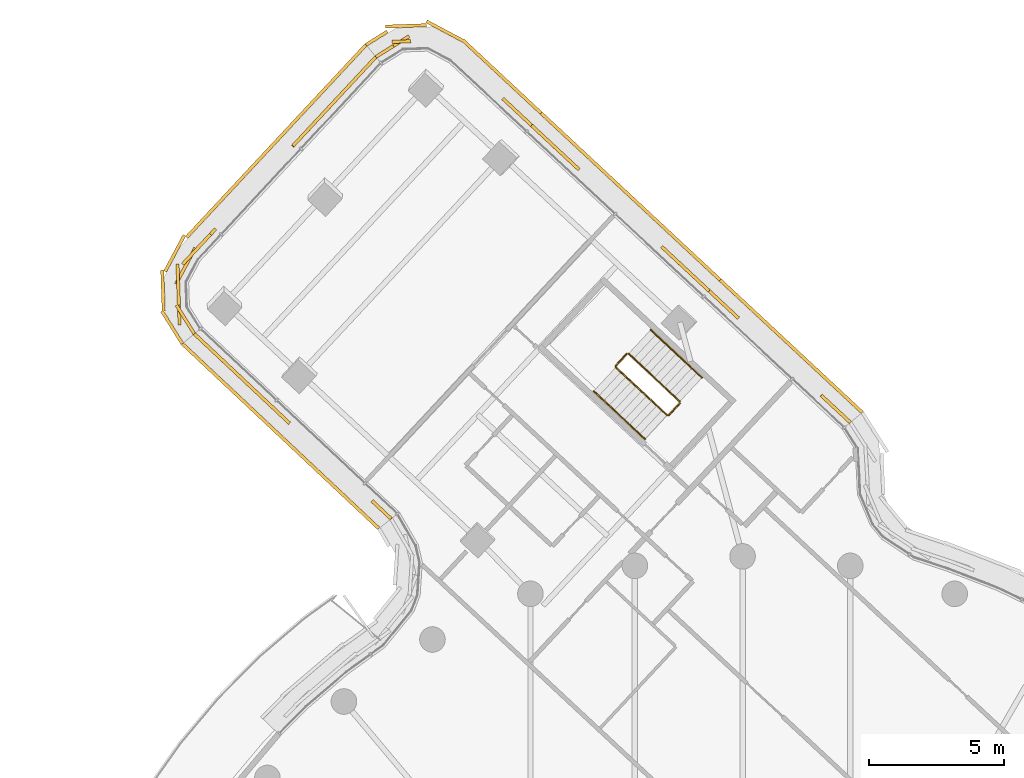
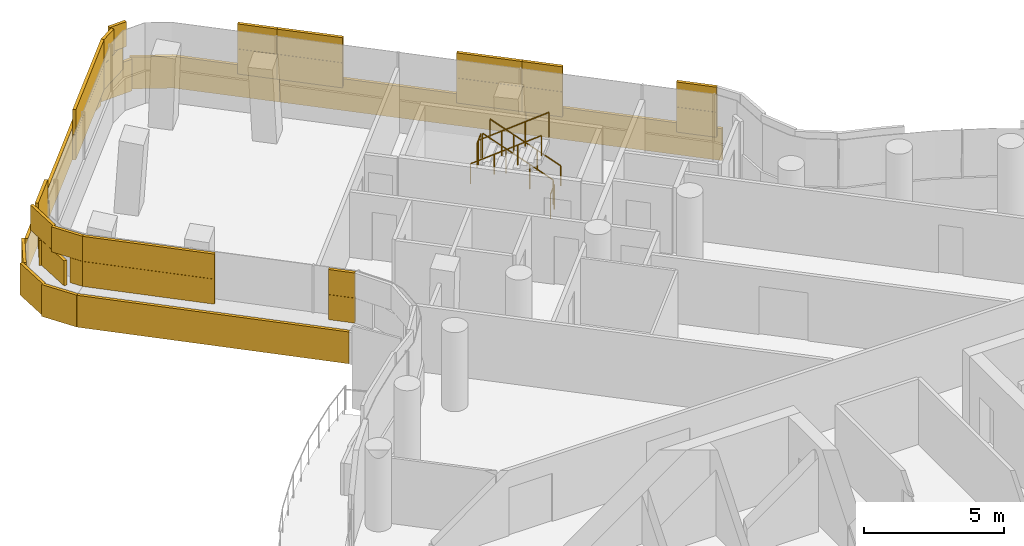
# One storey, part 28 of 30: 6 railings, 5 coverings.
"""IFC4 building model written with IfcOpenShell, lengths in metres."""

import ifcopenshell
import ifcopenshell.guid

model = None  # the IFC model being written
_history = None  # IfcOwnerHistory: only IFC2X3 demands one
_inside = {}  # id of a spatial element -> (the spatial element, [elements in it])
_under = {}  # id of a project, library or spatial element -> (it, [spatial elements below it])
_declared = {}  # id of a project -> (the project, [libraries it declares])
_typed = {}  # id of a type object -> (the type object, [elements of that type])
_made_of = {}  # id of a material, layer set ... -> (it, [elements and type objects made of it])


def new_model(schema):
    """Start an empty IFC model of exactly this schema.

    Asked for "IFC4X3", IfcOpenShell would pick the latest addendum, in which some entities
    have other attributes; the version numbers below select the first issue.
    IFC2X3 requires an IfcOwnerHistory on every rooted entity: one is made here for all.
    """
    global model, _history
    if schema == "IFC4X3":
        model = ifcopenshell.file(schema_version=(4, 3, 0, 0))
    else:
        model = ifcopenshell.file(schema=schema)
    _inside.clear()
    _under.clear()
    _declared.clear()
    _typed.clear()
    _made_of.clear()
    _history = None
    if model.schema == "IFC2X3":
        org = make("IfcOrganization", Name="unknown")
        user = make(
            "IfcPersonAndOrganization",
            ThePerson=make("IfcPerson", FamilyName="unknown"),
            TheOrganization=org,
        )
        app = make(
            "IfcApplication",
            ApplicationDeveloper=org,
            Version="unknown",
            ApplicationFullName="unknown",
            ApplicationIdentifier="unknown",
        )
        _history = make(
            "IfcOwnerHistory",
            OwningUser=user,
            OwningApplication=app,
            ChangeAction="ADDED",
            CreationDate=0,
        )
    return model


def make(cls, **values):
    """One entity of the class cls with the attributes given. An attribute that is None is left unset."""
    return model.create_entity(
        cls, **{name: value for name, value in values.items() if value is not None}
    )


def rooted(cls, **values):
    """An entity with a GlobalId (a new one), such as an element, a storey or a relation."""
    return make(cls, GlobalId=ifcopenshell.guid.new(), OwnerHistory=_history, **values)


def si_unit(unit_type, name, prefix=None):
    """IfcSIUnit, for example si_unit("LENGTHUNIT", "METRE", prefix="MILLI")."""
    return make("IfcSIUnit", UnitType=unit_type, Prefix=prefix, Name=name)


def assignment(units):
    """IfcUnitAssignment: the units of a project."""
    return None if units is None else make("IfcUnitAssignment", Units=units)


def point(xyz):
    """IfcCartesianPoint."""
    return None if xyz is None else make("IfcCartesianPoint", Coordinates=xyz)


def direction(xyz):
    """IfcDirection."""
    return None if xyz is None else make("IfcDirection", DirectionRatios=xyz)


def frame(location, z_axis=None, x_axis=None):
    """IfcAxis2Placement3D, a coordinate frame: its origin and axes. An axis left out is left unset."""
    return make(
        "IfcAxis2Placement3D",
        Location=point(location),
        Axis=direction(z_axis),
        RefDirection=direction(x_axis),
    )


def frame_2d(location, x_axis=None):
    """IfcAxis2Placement2D, a coordinate frame in the plane: its origin and x axis."""
    return make(
        "IfcAxis2Placement2D", Location=point(location), RefDirection=direction(x_axis)
    )


def origin():
    """The frame at (0, 0, 0) with its axes left unset."""
    return frame((0.0, 0.0, 0.0))


def origin_2d():
    """The frame at (0, 0) in the plane with its x axis left unset."""
    return frame_2d((0.0, 0.0))


def place(relative_to, where):
    """IfcLocalPlacement: puts the frame where relative to a parent placement (None: the world)."""
    return make(
        "IfcLocalPlacement", PlacementRelTo=relative_to, RelativePlacement=where
    )


def context(
    kind, dimensions, precision=None, world=None, true_north=None, identifier=None
):
    """IfcGeometricRepresentationContext, for example the 3D "Model" context."""
    return make(
        "IfcGeometricRepresentationContext",
        ContextIdentifier=identifier,
        ContextType=kind,
        CoordinateSpaceDimension=dimensions,
        Precision=precision,
        WorldCoordinateSystem=world,
        TrueNorth=true_north,
    )


def subcontext(parent, identifier, kind, view, scale=None):
    """IfcGeometricRepresentationSubContext, for example "Body" below "Model"."""
    return make(
        "IfcGeometricRepresentationSubContext",
        ContextIdentifier=identifier,
        ContextType=kind,
        ParentContext=parent,
        TargetScale=scale,
        TargetView=view,
    )


def project(units=None, contexts=None):
    """IfcProject with its units and contexts."""
    return rooted(
        "IfcProject",
        Name="project",
        RepresentationContexts=contexts,
        UnitsInContext=assignment(units),
    )


def spatial(cls, under=None, at=None, **own):
    """A site, building, storey or space (cls), placed at a placement, below another one or the project."""
    s = rooted(cls, ObjectPlacement=at, **own)
    if under is not None:
        _under.setdefault(under.id(), (under, []))[1].append(s)
    return s


def profile(cls, at=None, kind="AREA", **sizes):
    """A parametric profile (cls). Its sizes go by their IFC names, for example OverallWidth=200.0."""
    return make(cls, ProfileType=kind, Position=at, **sizes)


def rectangle(**sizes):
    """IfcRectangleProfileDef."""
    return profile("IfcRectangleProfileDef", **sizes)


def circle(**sizes):
    """IfcCircleProfileDef."""
    return profile("IfcCircleProfileDef", **sizes)


def extrude(swept, where, along, depth):
    """IfcExtrudedAreaSolid: the profile swept, set in the frame where, extruded along a direction by depth."""
    return make(
        "IfcExtrudedAreaSolid",
        SweptArea=swept,
        Position=where,
        ExtrudedDirection=direction(along),
        Depth=depth,
    )


def shape(context_of_items, identifier, shape_type, items):
    """IfcShapeRepresentation: the items that make up one representation, for example the "Body"."""
    return make(
        "IfcShapeRepresentation",
        ContextOfItems=context_of_items,
        RepresentationIdentifier=identifier,
        RepresentationType=shape_type,
        Items=items,
    )


def material(Name=None, Category=None):
    """IfcMaterial."""
    return make("IfcMaterial", Name=Name, Category=Category)


def layer(
    of_material, thickness, ventilated=None, Name=None, Category=None, Priority=None
):
    """IfcMaterialLayer: one layer of a wall or slab, of a material (None: an air gap)."""
    return make(
        "IfcMaterialLayer",
        Material=of_material,
        LayerThickness=thickness,
        IsVentilated=ventilated,
        Name=Name,
        Category=Category,
        Priority=Priority,
    )


def layer_set(layers, Name=None):
    """IfcMaterialLayerSet."""
    return make("IfcMaterialLayerSet", MaterialLayers=layers, LayerSetName=Name)


def made_of(thing, what):
    """Note that an element or type object is made of a material, layer set ...; save() writes the relation."""
    if what is not None:
        _made_of.setdefault(what.id(), (what, []))[1].append(thing)
    return thing


def type_object(cls, material=None, **own):
    """A type object (cls), such as IfcWallType, which elements share."""
    return made_of(rooted(cls, **own), material)


def element(
    cls,
    number,
    at=None,
    inside=None,
    cuts=None,
    type_object=None,
    material=None,
    context=None,
    identifier="Body",
    shape_type=None,
    held_by="IfcProductDefinitionShape",
    body=None,
    shapes=None,
    **own,
):
    """One element of the class cls, such as IfcWall. Its Tag is "e" and its number.

    at: its placement. inside: the storey or other place that contains it. cuts: it is an
    opening in that element (IfcRelVoidsElement). A single representation is given by context,
    identifier, shape_type and body (its items); several are given by shapes. held_by: the class
    of the entity that holds the representations. save() writes the other relations.
    """
    e = rooted(cls, Tag="e%d" % number, ObjectPlacement=at, **own)
    if body is not None:
        shapes = [shape(context, identifier, shape_type, body)]
    if shapes is not None:
        e.Representation = make(held_by, Representations=shapes)
    if inside is not None:
        _inside.setdefault(inside.id(), (inside, []))[1].append(e)
    if cuts is not None:
        rooted(
            "IfcRelVoidsElement", RelatingBuildingElement=cuts, RelatedOpeningElement=e
        )
    if type_object is not None:
        _typed.setdefault(type_object.id(), (type_object, []))[1].append(e)
    return made_of(e, material)


def aggregate(whole, parts):
    """IfcRelAggregates: a whole, such as a stair, and the parts it consists of."""
    return rooted("IfcRelAggregates", RelatingObject=whole, RelatedObjects=parts)


def save(model, path):
    """Write the relations noted so far, then the file.

    IfcRelAggregates (storeys below a building ...), IfcRelContainedInSpatialStructure (elements
    in a storey), IfcRelDefinesByType, IfcRelAssociatesMaterial and IfcRelDeclares: one each for
    every whole, place, type object, material and project.
    """
    for whole, parts in _under.values():
        aggregate(whole, parts)
    for where, things in _inside.values():
        rooted(
            "IfcRelContainedInSpatialStructure",
            RelatedElements=things,
            RelatingStructure=where,
        )
    for kind, things in _typed.values():
        rooted("IfcRelDefinesByType", RelatedObjects=things, RelatingType=kind)
    for what, things in _made_of.values():
        rooted("IfcRelAssociatesMaterial", RelatedObjects=things, RelatingMaterial=what)
    for by, libraries in _declared.values():
        rooted("IfcRelDeclares", RelatingContext=by, RelatedDefinitions=libraries)
    model.write(path)


model = new_model("IFC4")

# Units and contexts
model_context = context("Model", 3, precision=1e-05, world=origin(), true_north=direction((0.0, 1.0)))
body_context = subcontext(model_context, "Body", "Model", "MODEL_VIEW")
ifc_project = project(units=[si_unit("LENGTHUNIT", "METRE"), si_unit("AREAUNIT", "SQUARE_METRE"), si_unit("VOLUMEUNIT", "CUBIC_METRE"), si_unit("PLANEANGLEUNIT", "RADIAN"), si_unit("MASSUNIT", "GRAM", prefix="KILO")], contexts=[model_context])

# Site, building, storey
site_placement = place(None, origin())
site = spatial("IfcSite", under=ifc_project, at=site_placement, CompositionType="ELEMENT")
building_placement = place(site_placement, origin())
building = spatial("IfcBuilding", under=site, at=building_placement, Name="Tamarind Cross Interchange Tower", CompositionType="ELEMENT")
storey_placement = place(building_placement, frame((0.0, 0.0, 204.10009765625)))
storey = spatial("IfcBuildingStorey", under=building, at=storey_placement, Name="L51", CompositionType="ELEMENT", Elevation=204.10009765625)

# Railings
ifc_material_1 = material(Name="Stair guard")
railing_type_1 = type_object("IfcRailingType", Name="Stair guard", PredefinedType="GUARDRAIL", material=ifc_material_1)
railing_1_placement = place(storey_placement, frame((-2.32470703125, 28.74609375, 0.16357421875)))
element("IfcRailing", 1, at=railing_1_placement, inside=storey, type_object=railing_type_1, Name="L51 ST4 stair guard 1", PredefinedType="GUARDRAIL", context=body_context, shape_type="SweptSolid", body=[
    extrude(circle(Radius=0.02392578125, at=origin_2d()), frame((0.0, 0.0, 1.076171875), z_axis=(-0.619183979329, 0.576983145928, 0.53263650744), x_axis=(-0.681735879946, -0.731598380256, 0.0)), (0.0, 0.0, 1.0), 3.072021484375),
    extrude(circle(Radius=0.02099609375, at=origin_2d()), origin(), (0.0, 0.0, 1.0), 1.052001953125),
    extrude(circle(Radius=0.02099609375, at=origin_2d()), frame((-0.634033203125, 0.5908203125, 0.54541015625)), (0.0, 0.0, 1.0), 1.052001953125),
    extrude(circle(Radius=0.02099609375, at=origin_2d()), frame((-1.26806640625, 1.181640625, 1.0908203125)), (0.0, 0.0, 1.0), 1.052001953125),
    extrude(circle(Radius=0.02099609375, at=origin_2d()), frame((-1.902099609375, 1.7724609375, 1.63623046875)), (0.0, 0.0, 1.0), 1.052001953125),
])
railing_2_placement = place(storey_placement, frame((-4.29736328125, 30.51611328125, 1.7998046875)))
element("IfcRailing", 2, at=railing_2_placement, inside=storey, type_object=railing_type_1, Name="L51 ST4 stair guard 2", PredefinedType="GUARDRAIL", context=body_context, shape_type="SweptSolid", body=[
    extrude(circle(Radius=0.02392578125, at=origin_2d()), frame((0.0, 0.0, 1.076171875), z_axis=(-0.681854263948, -0.731488046885, 0.0), x_axis=(0.731488046885, -0.681854263948, 0.0)), (0.0, 0.0, 1.0), 0.60009765625),
    extrude(circle(Radius=0.02099609375, at=origin_2d()), origin(), (0.0, 0.0, 1.0), 1.052001953125),
    extrude(circle(Radius=0.02099609375, at=origin_2d()), frame((-0.4091796875, -0.43896484375, 0.0)), (0.0, 0.0, 1.0), 1.052001953125),
])
railing_3_placement = place(storey_placement, frame((-4.7041015625, 30.006591796875, 1.963623046875)))
element("IfcRailing", 3, at=railing_3_placement, inside=storey, type_object=railing_type_1, Name="L51 ST4 stair guard 3", PredefinedType="GUARDRAIL", context=body_context, shape_type="SweptSolid", body=[
    extrude(circle(Radius=0.02392578125, at=origin_2d()), frame((0.0, 0.0, 1.076171875), z_axis=(0.619155586453, -0.577036158803, 0.532612083225), x_axis=(0.681786135412, 0.731551546756, 0.0)), (0.0, 0.0, 1.0), 3.072021484375),
    extrude(circle(Radius=0.02099609375, at=origin_2d()), origin(), (0.0, 0.0, 1.0), 1.052001953125),
    extrude(circle(Radius=0.02099609375, at=origin_2d()), frame((0.634033203125, -0.5908203125, 0.54541015625)), (0.0, 0.0, 1.0), 1.052001953125),
    extrude(circle(Radius=0.02099609375, at=origin_2d()), frame((1.26806640625, -1.181884765625, 1.0908203125)), (0.0, 0.0, 1.0), 1.052001953125),
    extrude(circle(Radius=0.02099609375, at=origin_2d()), frame((1.902099609375, -1.772705078125, 1.63623046875)), (0.0, 0.0, 1.0), 1.052001953125),
])
railing_4_placement = place(storey_placement, frame((-2.322265625, 28.67529296875, 0.0)))
element("IfcRailing", 4, at=railing_4_placement, inside=storey, type_object=railing_type_1, Name="L51 ST4 stair guard 4", PredefinedType="GUARDRAIL", context=body_context, shape_type="SweptSolid", body=[
    extrude(circle(Radius=0.02392578125, at=origin_2d()), frame((0.0, 0.0, 1.076171875), z_axis=(-0.681636486585, -0.731690986794, 0.0), x_axis=(0.731690986794, -0.681636486585, 0.0)), (0.0, 0.0, 1.0), 0.599853515625),
    extrude(circle(Radius=0.02099609375, at=origin_2d()), origin(), (0.0, 0.0, 1.0), 1.052001953125),
    extrude(circle(Radius=0.02099609375, at=origin_2d()), frame((-0.408935546875, -0.43896484375, 0.0)), (0.0, 0.0, 1.0), 1.052001953125),
])
ifc_material_2 = material(Name="Stair handrail")
railing_type_2 = type_object("IfcRailingType", Name="Stair handrail", PredefinedType="HANDRAIL", material=ifc_material_2)
railing_5_placement = place(storey_placement, frame((-1.506591796875, 29.623779296875, 0.16357421875)))
element("IfcRailing", 5, at=railing_5_placement, inside=storey, type_object=railing_type_2, Name="L51 ST4 stair handrail 1", PredefinedType="HANDRAIL", context=body_context, shape_type="SweptSolid", body=[
    extrude(circle(Radius=0.02392578125, at=origin_2d()), frame((0.0, 0.0, 0.8759765625), z_axis=(-0.619155586453, 0.577036158803, 0.532612083225), x_axis=(-0.681786135412, -0.731551546756, 0.0)), (0.0, 0.0, 1.0), 3.072021484375),
    extrude(circle(Radius=0.02099609375, at=origin_2d()), origin(), (0.0, 0.0, 1.0), 0.851806640625),
    extrude(circle(Radius=0.02099609375, at=origin_2d()), frame((-0.634033203125, 0.5908203125, 0.54541015625)), (0.0, 0.0, 1.0), 0.851806640625),
    extrude(circle(Radius=0.02099609375, at=origin_2d()), frame((-1.26806640625, 1.181884765625, 1.0908203125)), (0.0, 0.0, 1.0), 0.851806640625),
    extrude(circle(Radius=0.02099609375, at=origin_2d()), frame((-1.902099609375, 1.772705078125, 1.63623046875)), (0.0, 0.0, 1.0), 0.851806640625),
])
railing_6_placement = place(storey_placement, frame((-5.522216796875, 29.128662109375, 1.963623046875)))
element("IfcRailing", 6, at=railing_6_placement, inside=storey, type_object=railing_type_2, Name="L51 ST4 stair handrail 2", PredefinedType="HANDRAIL", context=body_context, shape_type="SweptSolid", body=[
    extrude(circle(Radius=0.02392578125, at=origin_2d()), frame((0.0, 0.0, 0.8759765625), z_axis=(0.619155586453, -0.577036158803, 0.532612083225), x_axis=(0.681786135412, 0.731551546756, 0.0)), (0.0, 0.0, 1.0), 3.072021484375),
    extrude(circle(Radius=0.02099609375, at=origin_2d()), origin(), (0.0, 0.0, 1.0), 0.851806640625),
    extrude(circle(Radius=0.02099609375, at=origin_2d()), frame((0.634033203125, -0.5908203125, 0.54541015625)), (0.0, 0.0, 1.0), 0.851806640625),
    extrude(circle(Radius=0.02099609375, at=origin_2d()), frame((1.26806640625, -1.181884765625, 1.0908203125)), (0.0, 0.0, 1.0), 0.851806640625),
    extrude(circle(Radius=0.02099609375, at=origin_2d()), frame((1.902099609375, -1.772705078125, 1.63623046875)), (0.0, 0.0, 1.0), 0.851806640625),
])

# Coverings
ifc_material_3 = material(Name="Terracotta", Category="masonry")
ifc_layer = layer(ifc_material_3, 0.1201171875)
ifc_layer_set = layer_set([ifc_layer], Name="Terracotta")
covering_type = type_object("IfcCoveringType", Name="Terracotta baguette screen unit", PredefinedType="MOLDING", material=ifc_layer_set)
covering_1_placement = place(storey_placement, origin())
element("IfcCovering", 7, at=covering_1_placement, inside=storey, type_object=covering_type, Name="SCR-L51-07-00", PredefinedType="MOLDING", context=body_context, shape_type="SweptSolid", body=[
    extrude(rectangle(XDim=0.760009765625, YDim=0.1201171875, at=origin_2d()), frame((3.721435546875, 28.223388671875, 1.40380859375), z_axis=(0.0, 0.0, 1.0), x_axis=(-0.73154412297, 0.681794100992, 0.0)), (0.0, 0.0, 1.0), 1.092041015625),
    extrude(rectangle(XDim=0.735595703125, YDim=0.1201171875, at=origin_2d()), frame((3.181640625, 28.7265625, 1.40380859375), z_axis=(0.0, 0.0, 1.0), x_axis=(-0.73154412297, 0.681794100992, 0.0)), (0.0, 0.0, 1.0), 1.092041015625),
    extrude(rectangle(XDim=1.08447265625, YDim=0.1201171875, at=origin_2d()), frame((-0.549072265625, 32.20361328125, 1.40380859375), z_axis=(0.0, 0.0, 1.0), x_axis=(-0.73154412297, 0.681794100992, 0.0)), (0.0, 0.0, 1.0), 1.092041015625),
    extrude(rectangle(XDim=0.4111328125, YDim=0.1201171875, at=origin_2d()), frame((-1.0888671875, 32.70654296875, 1.40380859375), z_axis=(0.0, 0.0, 1.0), x_axis=(-0.73154412297, 0.681794100992, 0.0)), (0.0, 0.0, 1.0), 1.092041015625),
    extrude(rectangle(XDim=1.4755859375, YDim=0.1201171875, at=origin_2d()), frame((3.4560546875, 28.470703125, 2.50390625), z_axis=(0.0, 0.0, 1.0), x_axis=(-0.73154412297, 0.681794100992, 0.0)), (0.0, 0.0, 1.0), 1.092041015625),
    extrude(rectangle(XDim=0.33447265625, YDim=0.1201171875, at=origin_2d()), frame((-0.27490234375, 31.947998046875, 2.50390625), z_axis=(0.0, 0.0, 1.0), x_axis=(-0.73154412297, 0.681794100992, 0.0)), (0.0, 0.0, 1.0), 1.092041015625),
    extrude(rectangle(XDim=1.1611328125, YDim=0.1201171875, at=origin_2d()), frame((-0.814453125, 32.450927734375, 2.50390625), z_axis=(0.0, 0.0, 1.0), x_axis=(-0.73154412297, 0.681794100992, 0.0)), (0.0, 0.0, 1.0), 1.092041015625),
    extrude(rectangle(XDim=0.760009765625, YDim=0.1201171875, at=origin_2d()), frame((4.16259765625, 28.596923828125, 0.00390625), z_axis=(0.0, 0.0, 1.0), x_axis=(-0.73154412297, 0.681794100992, 0.0)), (0.0, 0.0, 1.0), 1.39208984375),
    extrude(rectangle(XDim=1.52001953125, YDim=0.1201171875, at=origin_2d()), frame((3.34326171875, 29.360595703125, 0.00390625), z_axis=(0.0, 0.0, 1.0), x_axis=(-0.73154412297, 0.681794100992, 0.0)), (0.0, 0.0, 1.0), 1.39208984375),
    extrude(rectangle(XDim=1.52001953125, YDim=0.1201171875, at=origin_2d()), frame((2.24609375, 30.383056640625, 0.00390625), z_axis=(0.0, 0.0, 1.0), x_axis=(-0.73154412297, 0.681794100992, 0.0)), (0.0, 0.0, 1.0), 1.39208984375),
    extrude(rectangle(XDim=1.52001953125, YDim=0.1201171875, at=origin_2d()), frame((1.148681640625, 31.40576171875, 0.00390625), z_axis=(0.0, 0.0, 1.0), x_axis=(-0.73154412297, 0.681794100992, 0.0)), (0.0, 0.0, 1.0), 1.39208984375),
    extrude(rectangle(XDim=1.52001953125, YDim=0.1201171875, at=origin_2d()), frame((0.051513671875, 32.428466796875, 0.00390625), z_axis=(0.0, 0.0, 1.0), x_axis=(-0.73154412297, 0.681794100992, 0.0)), (0.0, 0.0, 1.0), 1.39208984375),
    extrude(rectangle(XDim=0.46435546875, YDim=0.1201171875, at=origin_2d()), frame((-0.65966796875, 33.09130859375, 0.00390625), z_axis=(0.0, 0.0, 1.0), x_axis=(-0.73154412297, 0.681794100992, 0.0)), (0.0, 0.0, 1.0), 1.39208984375),
])
covering_2_placement = place(storey_placement, origin())
element("IfcCovering", 8, at=covering_2_placement, inside=storey, type_object=covering_type, Name="SCR-L51-07-01", PredefinedType="MOLDING", context=body_context, shape_type="SweptSolid", body=[
    extrude(rectangle(XDim=1.10888671875, YDim=0.1201171875, at=origin_2d()), frame((-1.637451171875, 33.218017578125, 1.40380859375), z_axis=(0.0, 0.0, 1.0), x_axis=(-0.73154412297, 0.681794100992, 0.0)), (0.0, 0.0, 1.0), 1.092041015625),
    extrude(rectangle(XDim=1.31640625, YDim=0.1201171875, at=origin_2d()), frame((-2.517333984375, 34.037841796875, 1.40380859375), z_axis=(0.0, 0.0, 1.0), x_axis=(-0.73154412297, 0.681794100992, 0.0)), (0.0, 0.0, 1.0), 1.092041015625),
    extrude(rectangle(XDim=0.50341796875, YDim=0.1201171875, at=origin_2d()), frame((-6.248046875, 37.51513671875, 1.40380859375), z_axis=(0.0, 0.0, 1.0), x_axis=(-0.73154412297, 0.681794100992, 0.0)), (0.0, 0.0, 1.0), 1.092041015625),
    extrude(rectangle(XDim=1.52001953125, YDim=0.1201171875, at=origin_2d()), frame((-6.977294921875, 38.194580078125, 1.40380859375), z_axis=(0.0, 0.0, 1.0), x_axis=(-0.73154412297, 0.681794100992, 0.0)), (0.0, 0.0, 1.0), 1.092041015625),
    extrude(rectangle(XDim=0.421630859375, YDim=0.1201171875, at=origin_2d()), frame((-7.676513671875, 38.846435546875, 1.40380859375), z_axis=(0.0, 0.0, 1.0), x_axis=(-0.73154412297, 0.681794100992, 0.0)), (0.0, 0.0, 1.0), 1.092041015625),
    extrude(rectangle(XDim=0.35888671875, YDim=0.1201171875, at=origin_2d()), frame((-1.36328125, 32.96240234375, 2.50390625), z_axis=(0.0, 0.0, 1.0), x_axis=(-0.73154412297, 0.681794100992, 0.0)), (0.0, 0.0, 1.0), 1.092041015625),
    extrude(rectangle(XDim=1.52001953125, YDim=0.1201171875, at=origin_2d()), frame((-2.039306640625, 33.592529296875, 2.50390625), z_axis=(0.0, 0.0, 1.0), x_axis=(-0.73154412297, 0.681794100992, 0.0)), (0.0, 0.0, 1.0), 1.092041015625),
    extrude(rectangle(XDim=0.56640625, YDim=0.1201171875, at=origin_2d()), frame((-2.79150390625, 34.293701171875, 2.50390625), z_axis=(0.0, 0.0, 1.0), x_axis=(-0.73154412297, 0.681794100992, 0.0)), (0.0, 0.0, 1.0), 1.092041015625),
    extrude(rectangle(XDim=1.25341796875, YDim=0.1201171875, at=origin_2d()), frame((-6.5224609375, 37.770751953125, 2.50390625), z_axis=(0.0, 0.0, 1.0), x_axis=(-0.73154412297, 0.681794100992, 0.0)), (0.0, 0.0, 1.0), 1.092041015625),
    extrude(rectangle(XDim=1.171630859375, YDim=0.1201171875, at=origin_2d()), frame((-7.40234375, 38.590576171875, 2.50390625), z_axis=(0.0, 0.0, 1.0), x_axis=(-0.73154412297, 0.681794100992, 0.0)), (0.0, 0.0, 1.0), 1.092041015625),
    extrude(rectangle(XDim=1.0556640625, YDim=0.1201171875, at=origin_2d()), frame((-1.2158203125, 33.609619140625, 0.00390625), z_axis=(0.0, 0.0, 1.0), x_axis=(-0.73154412297, 0.681794100992, 0.0)), (0.0, 0.0, 1.0), 1.39208984375),
    extrude(rectangle(XDim=1.52001953125, YDim=0.1201171875, at=origin_2d()), frame((-2.143310546875, 34.473876953125, 0.00390625), z_axis=(0.0, 0.0, 1.0), x_axis=(-0.73154412297, 0.681794100992, 0.0)), (0.0, 0.0, 1.0), 1.39208984375),
    extrude(rectangle(XDim=1.52001953125, YDim=0.1201171875, at=origin_2d()), frame((-3.240478515625, 35.49658203125, 0.00390625), z_axis=(0.0, 0.0, 1.0), x_axis=(-0.73154412297, 0.681794100992, 0.0)), (0.0, 0.0, 1.0), 1.39208984375),
    extrude(rectangle(XDim=1.52001953125, YDim=0.1201171875, at=origin_2d()), frame((-4.337890625, 36.519287109375, 0.00390625), z_axis=(0.0, 0.0, 1.0), x_axis=(-0.73154412297, 0.681794100992, 0.0)), (0.0, 0.0, 1.0), 1.39208984375),
    extrude(rectangle(XDim=1.52001953125, YDim=0.1201171875, at=origin_2d()), frame((-5.43505859375, 37.5419921875, 0.00390625), z_axis=(0.0, 0.0, 1.0), x_axis=(-0.73154412297, 0.681794100992, 0.0)), (0.0, 0.0, 1.0), 1.39208984375),
    extrude(rectangle(XDim=1.52001953125, YDim=0.1201171875, at=origin_2d()), frame((-6.532470703125, 38.564697265625, 0.00390625), z_axis=(0.0, 0.0, 1.0), x_axis=(-0.73154412297, 0.681794100992, 0.0)), (0.0, 0.0, 1.0), 1.39208984375),
    extrude(rectangle(XDim=0.541748046875, YDim=0.1201171875, at=origin_2d()), frame((-7.27197265625, 39.25390625, 0.00390625), z_axis=(0.0, 0.0, 1.0), x_axis=(-0.73154412297, 0.681794100992, 0.0)), (0.0, 0.0, 1.0), 1.39208984375),
])
covering_3_placement = place(storey_placement, origin())
element("IfcCovering", 9, at=covering_3_placement, inside=storey, type_object=covering_type, Name="SCR-L51-07-02", PredefinedType="MOLDING", context=body_context, shape_type="SweptSolid", body=[
    extrude(rectangle(XDim=1.098388671875, YDim=0.1201171875, at=origin_2d()), frame((-8.225341796875, 39.357666015625, 1.40380859375), z_axis=(0.0, 0.0, 1.0), x_axis=(-0.73154412297, 0.681794100992, 0.0)), (0.0, 0.0, 1.0), 1.092041015625),
    extrude(rectangle(XDim=0.370849609375, YDim=0.1201171875, at=origin_2d()), frame((-8.75537109375, 39.851806640625, 1.40380859375), z_axis=(0.0, 0.0, 1.0), x_axis=(-0.73154412297, 0.681794100992, 0.0)), (0.0, 0.0, 1.0), 1.092041015625),
    extrude(rectangle(XDim=1.44921875, YDim=0.1201171875, at=origin_2d()), frame((-12.978515625, 41.91015625, 1.40380859375), z_axis=(0.0, 0.0, 1.0), x_axis=(-0.847900081717, -0.530156063272, 0.0)), (0.0, 0.0, 1.0), 1.092041015625),
    extrude(rectangle(XDim=0.348388671875, YDim=0.1201171875, at=origin_2d()), frame((-7.950927734375, 39.10205078125, 2.50390625), z_axis=(0.0, 0.0, 1.0), x_axis=(-0.73154412297, 0.681794100992, 0.0)), (0.0, 0.0, 1.0), 1.092041015625),
    extrude(rectangle(XDim=1.120849609375, YDim=0.1201171875, at=origin_2d()), frame((-8.48095703125, 39.595947265625, 2.50390625), z_axis=(0.0, 0.0, 1.0), x_axis=(-0.73154412297, 0.681794100992, 0.0)), (0.0, 0.0, 1.0), 1.092041015625),
    extrude(rectangle(XDim=0.69921875, YDim=0.1201171875, at=origin_2d()), frame((-12.655517578125, 42.092529296875, 2.50390625), z_axis=(0.0, 0.0, 1.0), x_axis=(-0.999381042274, -0.035178577905, 0.0)), (0.0, 0.0, 1.0), 1.092041015625),
    extrude(rectangle(XDim=0.769775390625, YDim=0.1201171875, at=origin_2d()), frame((-13.27490234375, 41.724853515625, 2.50390625), z_axis=(0.0, 0.0, 1.0), x_axis=(-0.847900081717, -0.530156063272, 0.0)), (0.0, 0.0, 1.0), 1.092041015625),
    extrude(rectangle(XDim=0.978271484375, YDim=0.1201171875, at=origin_2d()), frame((-7.827880859375, 39.77197265625, 0.00390625), z_axis=(0.0, 0.0, 1.0), x_axis=(-0.73154412297, 0.681794100992, 0.0)), (0.0, 0.0, 1.0), 1.39208984375),
    extrude(rectangle(XDim=1.52001953125, YDim=0.1201171875, at=origin_2d()), frame((-8.72705078125, 40.610107421875, 0.00390625), z_axis=(0.0, 0.0, 1.0), x_axis=(-0.73154412297, 0.681794100992, 0.0)), (0.0, 0.0, 1.0), 1.39208984375),
    extrude(rectangle(XDim=1.52001953125, YDim=0.1201171875, at=origin_2d()), frame((-9.824462890625, 41.6328125, 0.00390625), z_axis=(0.0, 0.0, 1.0), x_axis=(-0.73154412297, 0.681794100992, 0.0)), (0.0, 0.0, 1.0), 1.39208984375),
    extrude(rectangle(XDim=1.52001953125, YDim=0.1201171875, at=origin_2d()), frame((-11.045654296875, 42.481689453125, 0.00390625), z_axis=(0.0, 0.0, 1.0), x_axis=(-0.883078659622, 0.469224979002, 0.0)), (0.0, 0.0, 1.0), 1.39208984375),
    extrude(rectangle(XDim=1.52001953125, YDim=0.1201171875, at=origin_2d()), frame((-12.488525390625, 42.672607421875, 0.00390625), z_axis=(0.0, 0.0, 1.0), x_axis=(-0.999381042274, -0.035178577905, 0.0)), (0.0, 0.0, 1.0), 1.39208984375),
    extrude(rectangle(XDim=0.934814453125, YDim=0.1201171875, at=origin_2d()), frame((-13.569091796875, 42.2177734375, 0.00390625), z_axis=(0.0, 0.0, 1.0), x_axis=(-0.847900081717, -0.530156063272, 0.0)), (0.0, 0.0, 1.0), 1.39208984375),
])
covering_4_placement = place(storey_placement, origin())
element("IfcCovering", 10, at=covering_4_placement, inside=storey, type_object=covering_type, Name="SCR-L51-08-00", PredefinedType="MOLDING", context=body_context, shape_type="SweptSolid", body=[
    extrude(rectangle(XDim=0.760009765625, YDim=0.1201171875, at=origin_2d()), frame((-13.8525390625, 41.2490234375, 1.40380859375), z_axis=(0.0, 0.0, 1.0), x_axis=(-0.681794100992, -0.73154412297, 0.0)), (0.0, 0.0, 1.0), 1.092041015625),
    extrude(rectangle(XDim=1.52001953125, YDim=0.1201171875, at=origin_2d()), frame((-14.61962890625, 40.426025390625, 1.40380859375), z_axis=(0.0, 0.0, 1.0), x_axis=(-0.681794100992, -0.73154412297, 0.0)), (0.0, 0.0, 1.0), 1.092041015625),
    extrude(rectangle(XDim=1.52001953125, YDim=0.1201171875, at=origin_2d()), frame((-15.642333984375, 39.32861328125, 1.40380859375), z_axis=(0.0, 0.0, 1.0), x_axis=(-0.681794100992, -0.73154412297, 0.0)), (0.0, 0.0, 1.0), 1.092041015625),
    extrude(rectangle(XDim=0.78466796875, YDim=0.1201171875, at=origin_2d()), frame((-16.417724609375, 38.49658203125, 1.40380859375), z_axis=(0.0, 0.0, 1.0), x_axis=(-0.681794100992, -0.73154412297, 0.0)), (0.0, 0.0, 1.0), 1.092041015625),
    extrude(rectangle(XDim=1.03515625, YDim=0.1201171875, at=origin_2d()), frame((-19.89501953125, 34.765869140625, 1.40380859375), z_axis=(0.0, 0.0, 1.0), x_axis=(-0.681794100992, -0.73154412297, 0.0)), (0.0, 0.0, 1.0), 1.092041015625),
    extrude(rectangle(XDim=1.52001953125, YDim=0.1201171875, at=origin_2d()), frame((-20.654541015625, 33.77001953125, 1.40380859375), z_axis=(0.0, 0.0, 1.0), x_axis=(-0.469224979002, -0.883078659622, 0.0)), (0.0, 0.0, 1.0), 1.092041015625),
    extrude(rectangle(XDim=1.52001953125, YDim=0.1201171875, at=origin_2d()), frame((-20.90185546875, 32.340087890625, 1.40380859375), z_axis=(0.0, 0.0, 1.0), x_axis=(0.035178577905, -0.999381042274, 0.0)), (0.0, 0.0, 1.0), 1.092041015625),
    extrude(rectangle(XDim=0.509521484375, YDim=0.1201171875, at=origin_2d()), frame((-20.460205078125, 31.46533203125, 1.40380859375), z_axis=(0.0, 0.0, 1.0), x_axis=(0.530156063272, -0.847900081717, 0.0)), (0.0, 0.0, 1.0), 1.092041015625),
    extrude(rectangle(XDim=1.510009765625, YDim=0.1201171875, at=origin_2d()), frame((-14.1083984375, 40.974609375, 2.50390625), z_axis=(0.0, 0.0, 1.0), x_axis=(-0.681794100992, -0.73154412297, 0.0)), (0.0, 0.0, 1.0), 1.092041015625),
    extrude(rectangle(XDim=1.52001953125, YDim=0.1201171875, at=origin_2d()), frame((-15.131103515625, 39.87744140625, 2.50390625), z_axis=(0.0, 0.0, 1.0), x_axis=(-0.681794100992, -0.73154412297, 0.0)), (0.0, 0.0, 1.0), 1.092041015625),
    extrude(rectangle(XDim=1.52001953125, YDim=0.1201171875, at=origin_2d()), frame((-16.15380859375, 38.780029296875, 2.50390625), z_axis=(0.0, 0.0, 1.0), x_axis=(-0.681794100992, -0.73154412297, 0.0)), (0.0, 0.0, 1.0), 1.092041015625),
    extrude(rectangle(XDim=1.52001953125, YDim=0.1201171875, at=origin_2d()), frame((-20.244384765625, 34.390869140625, 2.50390625), z_axis=(0.0, 0.0, 1.0), x_axis=(-0.681794100992, -0.73154412297, 0.0)), (0.0, 0.0, 1.0), 1.092041015625),
    extrude(rectangle(XDim=1.52001953125, YDim=0.1201171875, at=origin_2d()), frame((-20.92822265625, 33.089599609375, 2.50390625), z_axis=(0.0, 0.0, 1.0), x_axis=(0.035178577905, -0.999381042274, 0.0)), (0.0, 0.0, 1.0), 1.092041015625),
    extrude(rectangle(XDim=1.259521484375, YDim=0.1201171875, at=origin_2d()), frame((-20.658935546875, 31.783203125, 2.50390625), z_axis=(0.0, 0.0, 1.0), x_axis=(0.530156063272, -0.847900081717, 0.0)), (0.0, 0.0, 1.0), 1.092041015625),
    extrude(rectangle(XDim=0.760009765625, YDim=0.1201171875, at=origin_2d()), frame((-14.224365234375, 41.69189453125, 0.00390625), z_axis=(0.0, 0.0, 1.0), x_axis=(-0.681794100992, -0.73154412297, 0.0)), (0.0, 0.0, 1.0), 1.39208984375),
    extrude(rectangle(XDim=1.52001953125, YDim=0.1201171875, at=origin_2d()), frame((-14.988037109375, 40.87255859375, 0.00390625), z_axis=(0.0, 0.0, 1.0), x_axis=(-0.681794100992, -0.73154412297, 0.0)), (0.0, 0.0, 1.0), 1.39208984375),
    extrude(rectangle(XDim=1.52001953125, YDim=0.1201171875, at=origin_2d()), frame((-16.0107421875, 39.775390625, 0.00390625), z_axis=(0.0, 0.0, 1.0), x_axis=(-0.681794100992, -0.73154412297, 0.0)), (0.0, 0.0, 1.0), 1.39208984375),
    extrude(rectangle(XDim=1.52001953125, YDim=0.1201171875, at=origin_2d()), frame((-17.033447265625, 38.677978515625, 0.00390625), z_axis=(0.0, 0.0, 1.0), x_axis=(-0.681794100992, -0.73154412297, 0.0)), (0.0, 0.0, 1.0), 1.39208984375),
    extrude(rectangle(XDim=1.52001953125, YDim=0.1201171875, at=origin_2d()), frame((-18.05615234375, 37.580810546875, 0.00390625), z_axis=(0.0, 0.0, 1.0), x_axis=(-0.681794100992, -0.73154412297, 0.0)), (0.0, 0.0, 1.0), 1.39208984375),
    extrude(rectangle(XDim=1.52001953125, YDim=0.1201171875, at=origin_2d()), frame((-19.078857421875, 36.4833984375, 0.00390625), z_axis=(0.0, 0.0, 1.0), x_axis=(-0.681794100992, -0.73154412297, 0.0)), (0.0, 0.0, 1.0), 1.39208984375),
    extrude(rectangle(XDim=1.52001953125, YDim=0.1201171875, at=origin_2d()), frame((-20.1015625, 35.385986328125, 0.00390625), z_axis=(0.0, 0.0, 1.0), x_axis=(-0.681794100992, -0.73154412297, 0.0)), (0.0, 0.0, 1.0), 1.39208984375),
    extrude(rectangle(XDim=1.52001953125, YDim=0.1201171875, at=origin_2d()), frame((-21.05517578125, 34.239501953125, 0.00390625), z_axis=(0.0, 0.0, 1.0), x_axis=(-0.469224979002, -0.883078659622, 0.0)), (0.0, 0.0, 1.0), 1.39208984375),
    extrude(rectangle(XDim=1.52001953125, YDim=0.1201171875, at=origin_2d()), frame((-21.494384765625, 32.853759765625, 0.00390625), z_axis=(0.0, 0.0, 1.0), x_axis=(0.035178577905, -0.999381042274, 0.0)), (0.0, 0.0, 1.0), 1.39208984375),
    extrude(rectangle(XDim=1.42578125, YDim=0.1201171875, at=origin_2d()), frame((-21.153076171875, 31.49072265625, 0.00390625), z_axis=(0.0, 0.0, 1.0), x_axis=(0.530156063272, -0.847900081717, 0.0)), (0.0, 0.0, 1.0), 1.39208984375),
])
covering_5_placement = place(storey_placement, origin())
element("IfcCovering", 11, at=covering_5_placement, inside=storey, type_object=covering_type, Name="SCR-L51-09-00", PredefinedType="MOLDING", context=body_context, shape_type="SweptSolid", body=[
    extrude(rectangle(XDim=0.760009765625, YDim=0.1201171875, at=origin_2d()), frame((-20.054443359375, 30.996826171875, 1.40380859375), z_axis=(0.0, 0.0, 1.0), x_axis=(0.728608644687, -0.684930246732, 0.0)), (0.0, 0.0, 1.0), 1.092041015625),
    extrude(rectangle(XDim=1.52001953125, YDim=0.1201171875, at=origin_2d()), frame((-19.23486328125, 30.22607421875, 1.40380859375), z_axis=(0.0, 0.0, 1.0), x_axis=(0.728608644687, -0.684930246732, 0.0)), (0.0, 0.0, 1.0), 1.092041015625),
    extrude(rectangle(XDim=1.52001953125, YDim=0.1201171875, at=origin_2d()), frame((-18.141845703125, 29.19873046875, 1.40380859375), z_axis=(0.0, 0.0, 1.0), x_axis=(0.728608644687, -0.684930246732, 0.0)), (0.0, 0.0, 1.0), 1.092041015625),
    extrude(rectangle(XDim=1.100830078125, YDim=0.1201171875, at=origin_2d()), frame((-17.197998046875, 28.3115234375, 1.40380859375), z_axis=(0.0, 0.0, 1.0), x_axis=(0.728608644687, -0.684930246732, 0.0)), (0.0, 0.0, 1.0), 1.092041015625),
    extrude(rectangle(XDim=0.71923828125, YDim=0.1201171875, at=origin_2d()), frame((-13.482177734375, 24.818359375, 1.40380859375), z_axis=(0.0, 0.0, 1.0), x_axis=(0.728608644687, -0.684930246732, 0.0)), (0.0, 0.0, 1.0), 1.092041015625),
    extrude(rectangle(XDim=0.274658203125, YDim=0.1201171875, at=origin_2d()), frame((-13.12744140625, 24.48486328125, 1.40380859375), z_axis=(0.0, 0.0, 1.0), x_axis=(0.728608644687, -0.684930246732, 0.0)), (0.0, 0.0, 1.0), 1.092041015625),
    extrude(rectangle(XDim=1.510009765625, YDim=0.1201171875, at=origin_2d()), frame((-19.78125, 30.739990234375, 2.50390625), z_axis=(0.0, 0.0, 1.0), x_axis=(0.728608644687, -0.684930246732, 0.0)), (0.0, 0.0, 1.0), 1.092041015625),
    extrude(rectangle(XDim=1.52001953125, YDim=0.1201171875, at=origin_2d()), frame((-18.6884765625, 29.71240234375, 2.50390625), z_axis=(0.0, 0.0, 1.0), x_axis=(0.728608644687, -0.684930246732, 0.0)), (0.0, 0.0, 1.0), 1.092041015625),
    extrude(rectangle(XDim=1.52001953125, YDim=0.1201171875, at=origin_2d()), frame((-17.595458984375, 28.68505859375, 2.50390625), z_axis=(0.0, 0.0, 1.0), x_axis=(0.728608644687, -0.684930246732, 0.0)), (0.0, 0.0, 1.0), 1.092041015625),
    extrude(rectangle(XDim=0.350830078125, YDim=0.1201171875, at=origin_2d()), frame((-16.9248046875, 28.0546875, 2.50390625), z_axis=(0.0, 0.0, 1.0), x_axis=(0.728608644687, -0.684930246732, 0.0)), (0.0, 0.0, 1.0), 1.092041015625),
    extrude(rectangle(XDim=0.973876953125, YDim=0.1201171875, at=origin_2d()), frame((-13.3857421875, 24.727783203125, 2.50390625), z_axis=(0.0, 0.0, 1.0), x_axis=(0.728608644687, -0.684930246732, 0.0)), (0.0, 0.0, 1.0), 1.092041015625),
    extrude(rectangle(XDim=0.760009765625, YDim=0.1201171875, at=origin_2d()), frame((-20.498291015625, 30.6259765625, 0.00390625), z_axis=(0.0, 0.0, 1.0), x_axis=(0.728608644687, -0.684930246732, 0.0)), (0.0, 0.0, 1.0), 1.39208984375),
    extrude(rectangle(XDim=1.52001953125, YDim=0.1201171875, at=origin_2d()), frame((-19.68212890625, 29.85888671875, 0.00390625), z_axis=(0.0, 0.0, 1.0), x_axis=(0.728608644687, -0.684930246732, 0.0)), (0.0, 0.0, 1.0), 1.39208984375),
    extrude(rectangle(XDim=1.52001953125, YDim=0.1201171875, at=origin_2d()), frame((-18.58935546875, 28.83154296875, 0.00390625), z_axis=(0.0, 0.0, 1.0), x_axis=(0.728608644687, -0.684930246732, 0.0)), (0.0, 0.0, 1.0), 1.39208984375),
    extrude(rectangle(XDim=1.52001953125, YDim=0.1201171875, at=origin_2d()), frame((-17.496337890625, 27.80419921875, 0.00390625), z_axis=(0.0, 0.0, 1.0), x_axis=(0.728608644687, -0.684930246732, 0.0)), (0.0, 0.0, 1.0), 1.39208984375),
    extrude(rectangle(XDim=1.52001953125, YDim=0.1201171875, at=origin_2d()), frame((-16.4033203125, 26.776611328125, 0.00390625), z_axis=(0.0, 0.0, 1.0), x_axis=(0.728608644687, -0.684930246732, 0.0)), (0.0, 0.0, 1.0), 1.39208984375),
    extrude(rectangle(XDim=1.52001953125, YDim=0.1201171875, at=origin_2d()), frame((-15.310546875, 25.749267578125, 0.00390625), z_axis=(0.0, 0.0, 1.0), x_axis=(0.728608644687, -0.684930246732, 0.0)), (0.0, 0.0, 1.0), 1.39208984375),
    extrude(rectangle(XDim=1.52001953125, YDim=0.1201171875, at=origin_2d()), frame((-14.217529296875, 24.721923828125, 0.00390625), z_axis=(0.0, 0.0, 1.0), x_axis=(0.728608644687, -0.684930246732, 0.0)), (0.0, 0.0, 1.0), 1.39208984375),
    extrude(rectangle(XDim=0.264892578125, YDim=0.1201171875, at=origin_2d()), frame((-13.58203125, 24.124267578125, 0.00390625), z_axis=(0.0, 0.0, 1.0), x_axis=(0.728608644687, -0.684930246732, 0.0)), (0.0, 0.0, 1.0), 1.39208984375),
])

save(model, "model.ifc")
